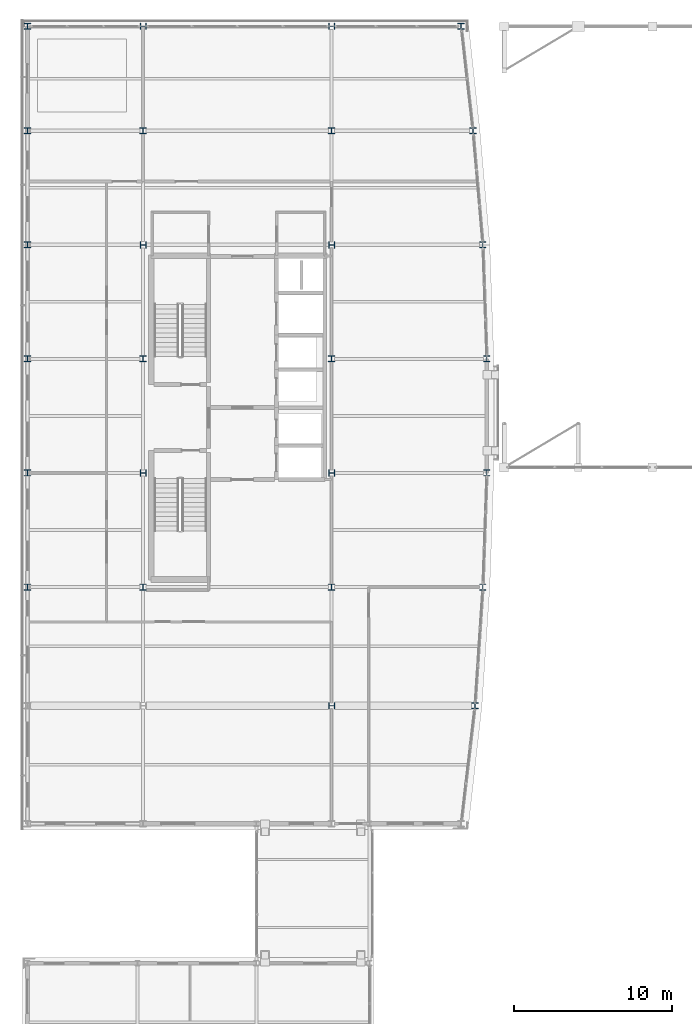
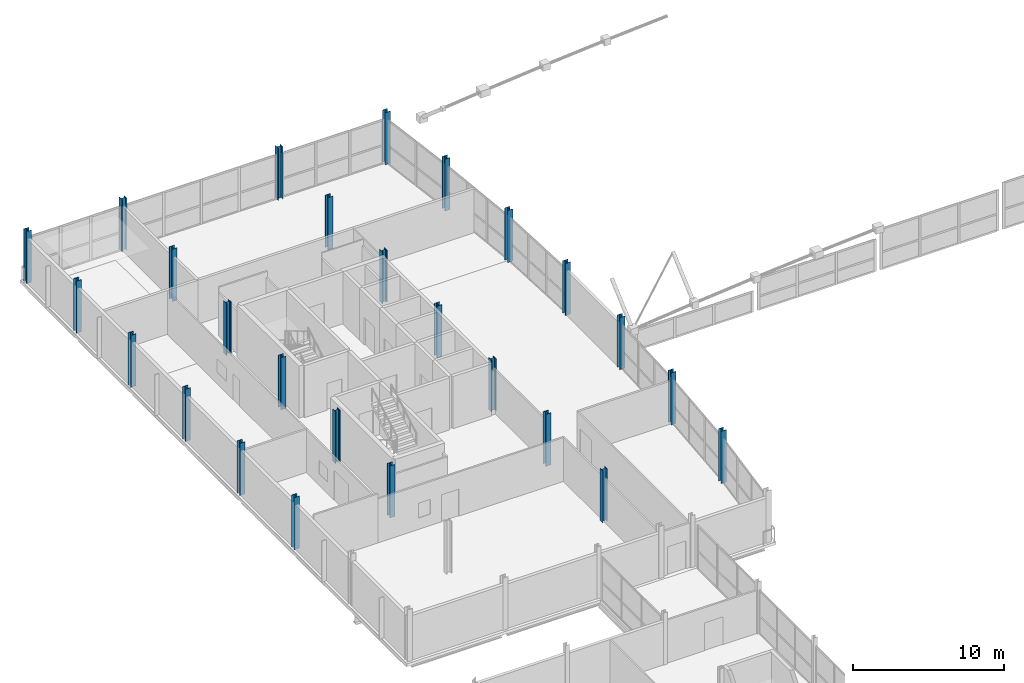
# One storey, part 3 of 60: 26 columns.
"""IFC4 building model written with IfcOpenShell, lengths in metres."""

from ifc_helpers import new_model, si_unit, direction, frame, origin, origin_2d, place, context, subcontext, project, spatial, i_section, extrude, material, material_profile, profile_set, type_object, element, save


model = new_model("IFC4")

# Units and contexts
model_context = context("Model", 3, precision=1e-05, world=origin(), true_north=direction((0.0, 1.0)))
body_context = subcontext(model_context, "Body", "Model", "MODEL_VIEW")
ifc_project = project(units=[si_unit("LENGTHUNIT", "METRE"), si_unit("AREAUNIT", "SQUARE_METRE"), si_unit("VOLUMEUNIT", "CUBIC_METRE"), si_unit("PLANEANGLEUNIT", "RADIAN"), si_unit("MASSUNIT", "GRAM", prefix="KILO")], contexts=[model_context])

# Site, building, storey
site_placement = place(None, origin())
site = spatial("IfcSite", under=ifc_project, at=site_placement, CompositionType="ELEMENT")
building_placement = place(site_placement, origin())
building = spatial("IfcBuilding", under=site, at=building_placement, Name="Quillay Park Conservatory", CompositionType="ELEMENT")
storey_placement = place(building_placement, frame((0.0, 0.0, 9.89990234375)))
storey = spatial("IfcBuildingStorey", under=building, at=storey_placement, Name="L02", CompositionType="ELEMENT", Elevation=9.89990234375)

# Columns
ifc_material = material(Name="Steel ASTM A992 Grade 50", Category="steel")
ifc_material_profile = material_profile(ifc_material, i_section(OverallWidth=0.39501953125, OverallDepth=0.3798828125, WebThickness=0.018798828125, FlangeThickness=0.0302734375, FilletRadius=0.014892578125, at=origin_2d()), Name="W360x237")
ifc_profile_set = profile_set([ifc_material_profile], Name="Steel ASTM A992 Grade 50")
column_type = type_object("IfcColumnType", Name="COMPOSITE STEEL COLUMN W360 X237", PredefinedType="COLUMN", material=ifc_profile_set)
for number, where, z_axis, x_axis, name in (
    (1, (19.75, 70.5, 0.0), (0.0, 0.0, 1.0), (0.0, 1.0, 0.0), "L02 column COL-V4-L02-1-2"),
    (2, (28.800048828125, 70.5, 0.0), (0.0, 0.0, 1.0), (1.0, 0.0, 0.0), "L02 column COL-V4-L02-1-3"),
    (3, (0.550048828125, 78.0, 0.0), (0.0, 0.0, 1.0), (1.0, 0.0, 0.0), "L02 column COL-V4-L02-2-0"),
    (4, (7.85009765625, 78.0, 0.0), (0.0, 0.0, 1.0), (1.0, 0.0, 0.0), "L02 column COL-V4-L02-2-1"),
    (5, (19.75, 78.0, 0.0), (0.0, 0.0, 1.0), (1.0, 0.0, 0.0), "L02 column COL-V4-L02-2-2"),
    (6, (29.300048828125, 78.0, 0.0), (0.0, 0.0, 1.0), (1.0, 0.0, 0.0), "L02 column COL-V4-L02-2-3"),
    (7, (0.550048828125, 85.199951171875, 0.0), (0.0, 0.0, 1.0), (1.0, 0.0, 0.0), "L02 column COL-V4-L02-3-0"),
    (8, (7.85009765625, 85.199951171875, 0.0), (0.0, 0.0, 1.0), (0.0, 1.0, 0.0), "L02 column COL-V4-L02-3-1"),
    (9, (19.75, 85.199951171875, 0.0), (0.0, 0.0, 1.0), (0.0, 1.0, 0.0), "L02 column COL-V4-L02-3-2"),
    (10, (29.550048828125, 85.199951171875, 0.0), (0.0, 0.0, 1.0), (1.0, 0.0, 0.0), "L02 column COL-V4-L02-3-3"),
    (11, (0.550048828125, 92.39990234375, 0.0), (0.0, 0.0, 1.0), (1.0, 0.0, 0.0), "L02 column COL-V4-L02-4-0"),
    (12, (7.85009765625, 92.39990234375, 0.0), (0.0, 0.0, 1.0), (1.0, 0.0, 0.0), "L02 column COL-V4-L02-4-1"),
    (13, (19.75, 92.39990234375, 0.0), (0.0, 0.0, 1.0), (1.0, 0.0, 0.0), "L02 column COL-V4-L02-4-2"),
    (14, (29.550048828125, 92.39990234375, 0.0), (0.0, 0.0, 1.0), (1.0, 0.0, 0.0), "L02 column COL-V4-L02-4-3"),
    (15, (0.550048828125, 99.60009765625, 0.0), (0.0, 0.0, 1.0), (1.0, 0.0, 0.0), "L02 column COL-V4-L02-5-0"),
    (16, (7.85009765625, 99.60009765625, 0.0), (0.0, 0.0, 1.0), (0.0, 1.0, 0.0), "L02 column COL-V4-L02-5-1"),
    (17, (19.75, 99.60009765625, 0.0), (0.0, 0.0, 1.0), (0.0, 1.0, 0.0), "L02 column COL-V4-L02-5-2"),
    (18, (29.300048828125, 99.60009765625, 0.0), (0.0, 0.0, 1.0), (1.0, 0.0, 0.0), "L02 column COL-V4-L02-5-3"),
    (19, (0.550048828125, 106.800048828125, 0.0), (0.0, 0.0, 1.0), (1.0, 0.0, 0.0), "L02 column COL-V4-L02-6-0"),
    (20, (7.85009765625, 106.800048828125, 0.0), (0.0, 0.0, 1.0), (1.0, 0.0, 0.0), "L02 column COL-V4-L02-6-1"),
    (21, (19.75, 106.800048828125, 0.0), (0.0, 0.0, 1.0), (1.0, 0.0, 0.0), "L02 column COL-V4-L02-6-2"),
    (22, (28.675048828125, 106.800048828125, 0.0), (0.0, 0.0, 1.0), (1.0, 0.0, 0.0), "L02 column COL-V4-L02-6-3"),
    (23, (0.550048828125, 113.39990234375, 0.0), (0.0, 0.0, 1.0), (1.0, 0.0, 0.0), "L02 column COL-V4-L02-7-0"),
    (24, (7.85009765625, 113.39990234375, 0.0), (0.0, 0.0, 1.0), (0.0, 1.0, 0.0), "L02 column COL-V4-L02-7-1"),
    (25, (19.75, 113.39990234375, 0.0), (0.0, 0.0, 1.0), (0.0, 1.0, 0.0), "L02 column COL-V4-L02-7-2"),
    (26, (27.925048828125, 113.39990234375, 0.0), (0.0, 0.0, 1.0), (1.0, 0.0, 0.0), "L02 column COL-V4-L02-7-3"),
):
    element("IfcColumn", number, at=place(storey_placement, frame(where, z_axis=z_axis, x_axis=x_axis)), inside=storey, type_object=column_type, Name=name, PredefinedType="COLUMN", context=body_context, shape_type="SweptSolid", body=[
        extrude(i_section(OverallWidth=0.39501953125, OverallDepth=0.3798828125, WebThickness=0.018798828125, FlangeThickness=0.0302734375, FilletRadius=0.014892578125, at=origin_2d()), origin(), (0.0, 0.0, 1.0), 4.2001953125),
    ])

save(model, "model.ifc")
